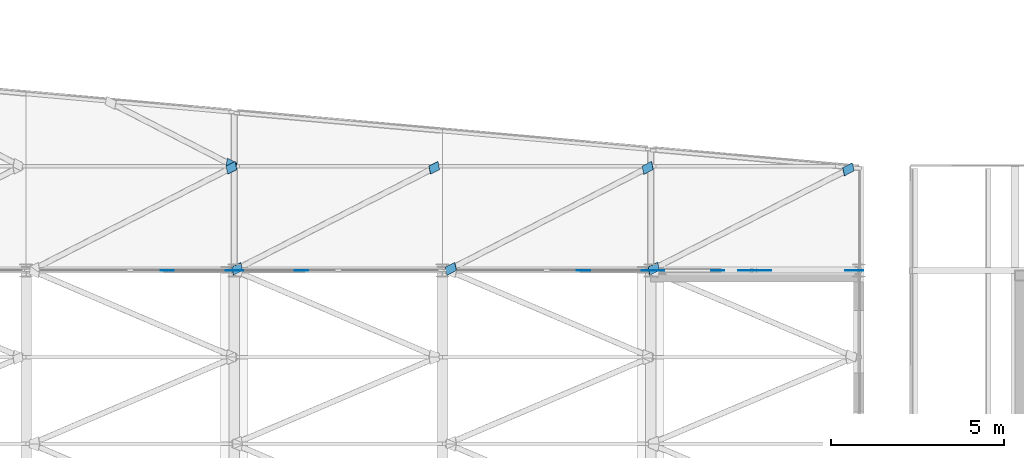
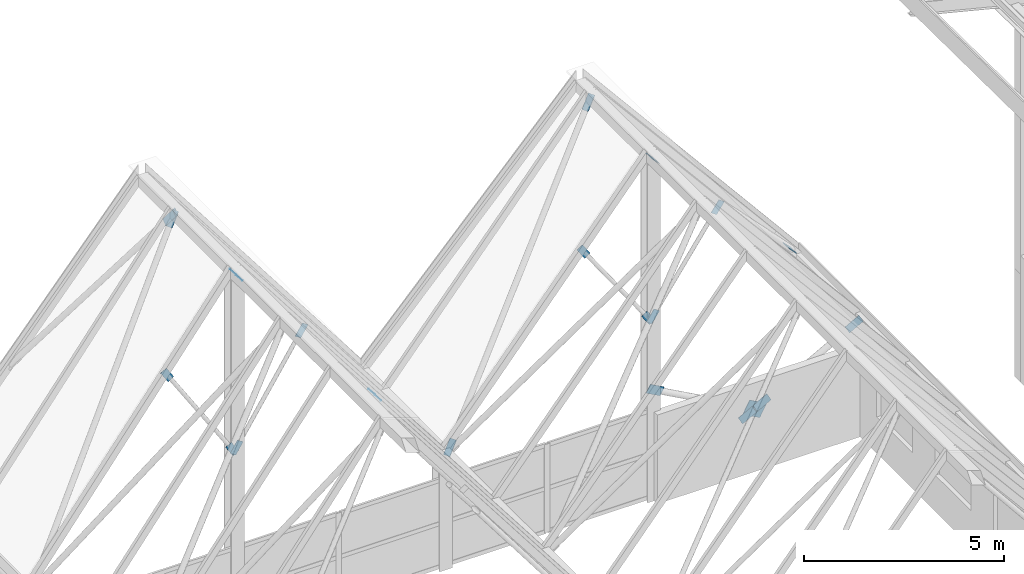
# One storey, part 433 of 483: 21 discrete accessories.
"""IFC4 building model written with IfcOpenShell, lengths in metres."""

from ifc_helpers import new_model, si_unit, direction, frame, origin, place, context, subcontext, project, spatial, polyline, outline, extrude, material, layer, layer_set, type_object, element, save


model = new_model("IFC4")

# Units and contexts
model_context = context("Model", 3, precision=1e-05, world=origin(), true_north=direction((0.0, 1.0)))
body_context = subcontext(model_context, "Body", "Model", "MODEL_VIEW")
ifc_project = project(units=[si_unit("LENGTHUNIT", "METRE"), si_unit("AREAUNIT", "SQUARE_METRE"), si_unit("VOLUMEUNIT", "CUBIC_METRE"), si_unit("PLANEANGLEUNIT", "RADIAN"), si_unit("MASSUNIT", "GRAM", prefix="KILO")], contexts=[model_context])

# Site, building, storey
site_placement = place(None, origin())
site = spatial("IfcSite", under=ifc_project, at=site_placement, CompositionType="ELEMENT")
building_placement = place(site_placement, origin())
building = spatial("IfcBuilding", under=site, at=building_placement, Name="Parallax Yard Mobility Hub", CompositionType="ELEMENT")
storey_placement = place(building_placement, frame((0.0, 0.0, 13.199951171875)))
storey = spatial("IfcBuildingStorey", under=building, at=storey_placement, Name="L04", CompositionType="ELEMENT", Elevation=13.199951171875)

# Discrete accessories
ifc_material = material(Name="Steel ASTM A36", Category="steel")
ifc_layer = layer(ifc_material, 0.011962890625)
ifc_layer_set = layer_set([ifc_layer], Name="Gusset plate PL12")
discrete_accessory_type = type_object("IfcDiscreteAccessoryType", Name="Gusset plate PL12", PredefinedType="BRACKET", material=ifc_layer_set)
for number, where, z_axis, x_axis, name in (
    (1, (74.80859375, 55.271728515625, 10.7900390625), (-0.793865495495, 0.000180436145, 0.608093366602), (0.580540634482, 0.297827212019, 0.757807048988), "Gusset plate PL12 at end 2 of Plate diagonal plate F11-F12 bay 19"),
    (2, (75.19140625, 52.728271484375, 10.7900390625), (0.793865495495, -0.000180436145, 0.608093366602), (-0.580540634482, -0.297827212019, 0.757807048988), "Gusset plate PL12 at end 1 of Plate diagonal plate F12-F13 bay 19"),
):
    element("IfcDiscreteAccessory", number, at=place(storey_placement, frame(where, z_axis=z_axis, x_axis=x_axis)), inside=storey, type_object=discrete_accessory_type, Name=name, PredefinedType="BRACKET", context=body_context, shape_type="SweptSolid", body=[
        extrude(outline(polyline([(0.0, 0.0), (0.44839726892670906, 0.0), (0.4483336086042432, 0.248349684011552), (0.00012135116410366686, 0.24829193511073294), (0.0, 0.0)])), origin(), (0.0, 0.0, -1.0), 0.011962890625),
    ])
discrete_accessory_1_placement = place(storey_placement, frame((80.65625, 55.271728515625, 3.6591796875), z_axis=(0.793669330086, 0.000127665836, 0.608349388249), x_axis=(0.580712176729, 0.297827308229, -0.757675565313)))
element("IfcDiscreteAccessory", 3, at=discrete_accessory_1_placement, inside=storey, type_object=discrete_accessory_type, Name="Gusset plate PL12 at end 2 of Plate diagonal plate F12-F13 bay 19", PredefinedType="BRACKET", context=body_context, shape_type="SweptSolid", body=[
    extrude(outline(polyline([(0.0, 0.0), (0.44839724240954243, -1.3877787807814457e-17), (0.44833363511764657, 0.24834963614818814), (-2.0403339604901927e-05, 0.24833620292722908), (0.0, 0.0)])), origin(), (0.0, 0.0, -1.0), 0.011962890625),
])
discrete_accessory_2_placement = place(storey_placement, frame((81.35205078125, 52.733154296875, 3.645751953125), z_axis=(-0.766482682702, -0.000430762017, 0.642264829772), x_axis=(-0.609972206957, -0.312610710038, -0.728154139389)))
element("IfcDiscreteAccessory", 4, at=discrete_accessory_2_placement, inside=storey, type_object=discrete_accessory_type, Name="Gusset plate PL12 at end 1 of Plate diagonal plate F13-F14 bay 19", PredefinedType="BRACKET", context=body_context, shape_type="SweptSolid", body=[
    extrude(outline(polyline([(0.0, 0.0), (0.44827868743089283, -1.3877787807814457e-17), (0.4481763056363504, 0.24857422337075508), (-0.00017870276867274631, 0.24834231877264806), (0.0, 0.0)])), origin(), (0.0, 0.0, -1.0), 0.011962890625),
])
discrete_accessory_3_placement = place(storey_placement, frame((86.80029296875, 55.266845703125, 10.147216796875), z_axis=(-0.766685731429, -0.000138362087, 0.64202256197), x_axis=(0.609812094092, 0.312610687916, 0.728288244927)))
element("IfcDiscreteAccessory", 5, at=discrete_accessory_3_placement, inside=storey, type_object=discrete_accessory_type, Name="Gusset plate PL12 at end 2 of Plate diagonal plate F13-F14 bay 19", PredefinedType="BRACKET", context=body_context, shape_type="SweptSolid", body=[
    extrude(outline(polyline([(0.0, 0.0), (0.44827867766482155, -2.7755575615628914e-17), (0.4481763154001914, 0.24857420576666753), (-2.9803327575482486e-05, 0.24829327676008567), (0.0, 0.0)])), origin(), (0.0, 0.0, -1.0), 0.011962890625),
])
for number, where, z_axis, x_axis, name in (
    (6, (87.2041015625, 52.73486328125, 10.152587890625), (0.754977976486, -0.005789816782, 0.655724586273), (-0.62307031132, -0.318071475025, 0.7145725463), "Gusset plate PL12 at end 1 of Plate diagonal plate F14-F15 bay 19"),
    (7, (92.587890625, 55.2236328125, 3.9736328125), (0.754977976486, -0.005789816782, 0.655724586273), (0.62307031132, 0.318071475025, -0.7145725463), "Gusset plate PL12 at end 2 of Plate diagonal plate F14-F15 bay 19"),
):
    element("IfcDiscreteAccessory", number, at=place(storey_placement, frame(where, z_axis=z_axis, x_axis=x_axis)), inside=storey, type_object=discrete_accessory_type, Name=name, PredefinedType="BRACKET", context=body_context, shape_type="SweptSolid", body=[
        extrude(outline(polyline([(0.0, 0.0), (0.44825814411902404, 1.3877787807814457e-17), (0.4482889930355888, 0.24849546032601091), (-4.680525214257464e-05, 0.24826400303666332), (0.0, 0.0)])), origin(), (0.0, 0.0, -1.0), 0.011962890625),
    ])
discrete_accessory_4_placement = place(storey_placement, frame((74.75537109375, 55.495361328125, 10.73779296875), z_axis=(-0.777022324895, -0.008663719685, 0.629413414677), x_axis=(0.600892730999, -0.308082733522, 0.737572338919)))
element("IfcDiscreteAccessory", 8, at=discrete_accessory_4_placement, inside=storey, type_object=discrete_accessory_type, Name="Gusset plate PL12 at end 1 of Plate diagonal plate F11-F12 bay 20", PredefinedType="BRACKET", context=body_context, shape_type="SweptSolid", body=[
    extrude(outline(polyline([(0.0, 0.0), (0.4485280569900748, -1.3877787807814457e-17), (0.44825058455177547, 0.24833154672543428), (4.930126041109012e-05, 0.2484370434083836), (0.0, 0.0)])), origin(), (0.0, 0.0, -1.0), 0.011962890625),
])
discrete_accessory_5_placement = place(storey_placement, frame((87.268798828125, 52.5, 3.005126953125), z_axis=(0.0, 1.0, 0.0), x_axis=(-0.876238441502, 0.0, 0.481877778731)))
element("IfcDiscreteAccessory", 9, at=discrete_accessory_5_placement, inside=storey, type_object=discrete_accessory_type, Name="Gusset plate PL12 at end 2 of X brace east end bay north face level 4 2", PredefinedType="BRACKET", context=body_context, shape_type="SweptSolid", body=[
    extrude(outline(polyline([(0.0, 0.0), (0.45749979373531174, 0.0), (0.45776583251018776, 0.2578590596742909), (-0.0002794579687115245, 0.2578804261576796), (0.0, 0.0)])), origin(), (0.0, 0.0, -1.0), 0.011962890625),
])
discrete_accessory_6_placement = place(storey_placement, frame((89.52490234375, 52.5, 1.535888671875), z_axis=(0.0, 1.0, 0.0), x_axis=(0.876137085839, 0.0, 0.482062036274)))
element("IfcDiscreteAccessory", 10, at=discrete_accessory_6_placement, inside=storey, type_object=discrete_accessory_type, Name="Gusset plate PL12 at end 2 of X brace east end bay north face level 4 1 (half 1)", PredefinedType="BRACKET", context=body_context, shape_type="SweptSolid", body=[
    extrude(outline(polyline([(0.0, 0.0), (0.45783137520166645, 2.7755575615628914e-17), (0.4578427016514825, 0.2577627882971243), (1.1326449816093098e-05, 0.2577627882971243), (0.0, 0.0)])), origin(), (0.0, 0.0, -1.0), 0.011962890625),
])
discrete_accessory_7_placement = place(storey_placement, frame((90.47509765625, 52.5, 1.76416015625), z_axis=(0.0, 1.0, 0.0), x_axis=(-0.876137085839, 0.0, -0.482062036274)))
element("IfcDiscreteAccessory", 11, at=discrete_accessory_7_placement, inside=storey, type_object=discrete_accessory_type, Name="Gusset plate PL12 at end 1 of X brace east end bay north face level 4 1 (half 2)", PredefinedType="BRACKET", context=body_context, shape_type="SweptSolid", body=[
    extrude(outline(polyline([(0.0, 0.0), (0.45783137520166645, 2.7755575615628914e-17), (0.4577250107246577, 0.2579766889528468), (1.1326449816093098e-05, 0.2577627882971243), (0.0, 0.0)])), origin(), (0.0, 0.0, -1.0), 0.011962890625),
])
discrete_accessory_8_placement = place(storey_placement, frame((92.606689453125, 52.5, 3.23095703125), z_axis=(0.0, 1.0, 0.0), x_axis=(0.876260918748, 0.0, 0.481836904226)))
element("IfcDiscreteAccessory", 12, at=discrete_accessory_8_placement, inside=storey, type_object=discrete_accessory_type, Name="Gusset plate PL12 at end 2 of X brace east end bay north face level 4 1 (half 2)", PredefinedType="BRACKET", context=body_context, shape_type="SweptSolid", body=[
    extrude(outline(polyline([(0.0, 0.0), (0.4580452909772414, 2.7755575615628914e-17), (0.4577912805793759, 0.25785907180368317), (0.00029148734181290437, 0.2578804128412087), (0.0, 0.0)])), origin(), (0.0, 0.0, -1.0), 0.011962890625),
])
discrete_accessory_9_placement = place(storey_placement, frame((74.911865234375, 52.5, 5.9169921875), z_axis=(0.0, 1.0, 0.0), x_axis=(0.540757591313, 0.0, -0.841178475377)))
element("IfcDiscreteAccessory", 13, at=discrete_accessory_9_placement, inside=storey, type_object=discrete_accessory_type, Name="Gusset plate PL12 at end 1 of Gable knee brace F12 north west", PredefinedType="BRACKET", context=body_context, shape_type="SweptSolid", body=[
    extrude(outline(polyline([(0.0, 0.0), (0.3941410514594834, 0.0), (0.393994361574687, 0.1943640973552479), (-0.0001466898847964221, 0.1943640973552479), (0.0, 0.0)])), origin(), (0.0, 0.0, -1.0), 0.011962890625),
])
discrete_accessory_10_placement = place(storey_placement, frame((73.088134765625, 52.5, 8.39501953125), z_axis=(0.0, 1.0, 0.0), x_axis=(-0.540475947876, 0.0, 0.841359465251)))
element("IfcDiscreteAccessory", 14, at=discrete_accessory_10_placement, inside=storey, type_object=discrete_accessory_type, Name="Gusset plate PL12 at end 2 of Gable knee brace F12 north west", PredefinedType="BRACKET", context=body_context, shape_type="SweptSolid", body=[
    extrude(outline(polyline([(0.0, 0.0), (0.39434643939744385, 0.0), (0.3942648195196839, 0.19436413557248192), (0.0001237901479359954, 0.19449608770819393), (0.0, 0.0)])), origin(), (0.0, 0.0, -1.0), 0.011962890625),
])
discrete_accessory_11_placement = place(storey_placement, frame((75.251708984375, 52.5, 5.81201171875), z_axis=(0.0, 1.0, 0.0), x_axis=(-0.540757591313, 0.0, -0.841178475377)))
element("IfcDiscreteAccessory", 15, at=discrete_accessory_11_placement, inside=storey, type_object=discrete_accessory_type, Name="Gusset plate PL12 at end 1 of Gable knee brace F12 north east", PredefinedType="BRACKET", context=body_context, shape_type="SweptSolid", body=[
    extrude(outline(polyline([(0.0, 0.0), (0.3941410514594834, 0.0), (0.39428774134427985, 0.19436409735524784), (0.0001466898847964221, 0.1943640973552479), (0.0, 0.0)])), origin(), (0.0, 0.0, -1.0), 0.011962890625),
])
discrete_accessory_12_placement = place(storey_placement, frame((76.748291015625, 52.5, 8.500244140625), z_axis=(0.0, 1.0, 0.0), x_axis=(0.540757591313, 0.0, 0.841178475377)))
element("IfcDiscreteAccessory", 16, at=discrete_accessory_12_placement, inside=storey, type_object=discrete_accessory_type, Name="Gusset plate PL12 at end 2 of Gable knee brace F12 north east", PredefinedType="BRACKET", context=body_context, shape_type="SweptSolid", body=[
    extrude(outline(polyline([(0.0, 0.0), (0.3941410514594834, 0.0), (0.39428774134427985, 0.19436409735524784), (-5.8675953918563284e-05, 0.19449611825156465), (0.0, 0.0)])), origin(), (0.0, 0.0, -1.0), 0.011962890625),
])
for number, where, z_axis, x_axis, name in (
    (17, (86.89990234375, 52.5, 5.71337890625), (0.0, 1.0, 0.0), (0.572297848879, 0.0, -0.820045835407), "Gusset plate PL12 at end 1 of Gable knee brace F14 north west"),
    (18, (85.10009765625, 52.5, 7.952392578125), (0.0, 1.0, 0.0), (-0.572297848879, 0.0, 0.820045835407), "Gusset plate PL12 at end 2 of Gable knee brace F14 north west"),
):
    element("IfcDiscreteAccessory", number, at=place(storey_placement, frame(where, z_axis=z_axis, x_axis=x_axis)), inside=storey, type_object=discrete_accessory_type, Name=name, PredefinedType="BRACKET", context=body_context, shape_type="SweptSolid", body=[
        extrude(outline(polyline([(0.0, 0.0), (0.3941757564558468, 0.0), (0.39423200782974105, 0.19444769277579024), (5.6251373894242174e-05, 0.19444769277579022), (0.0, 0.0)])), origin(), (0.0, 0.0, -1.0), 0.011962890625),
    ])
for number, where, z_axis, x_axis, name in (
    (19, (87.259521484375, 52.5, 5.60205078125), (0.0, 1.0, 0.0), (-0.572297848879, 0.0, -0.820045835407), "Gusset plate PL12 at end 1 of Gable knee brace F14 north east"),
    (20, (88.740478515625, 52.5, 8.063720703125), (0.0, 1.0, 0.0), (0.572297848879, 0.0, 0.820045835407), "Gusset plate PL12 at end 2 of Gable knee brace F14 north east"),
):
    element("IfcDiscreteAccessory", number, at=place(storey_placement, frame(where, z_axis=z_axis, x_axis=x_axis)), inside=storey, type_object=discrete_accessory_type, Name=name, PredefinedType="BRACKET", context=body_context, shape_type="SweptSolid", body=[
        extrude(outline(polyline([(0.0, 0.0), (0.3941757564558468, 0.0), (0.3941195050819526, 0.19444769277579024), (-5.6251373894242174e-05, 0.19444769277579022), (0.0, 0.0)])), origin(), (0.0, 0.0, -1.0), 0.011962890625),
    ])
discrete_accessory_13_placement = place(storey_placement, frame((90.14404296875, 52.5, 1.3310546875), z_axis=(0.0, 1.0, 0.0), x_axis=(-0.876206700171, 0.0, 0.48193549213)))
element("IfcDiscreteAccessory", 21, at=discrete_accessory_13_placement, inside=storey, type_object=discrete_accessory_type, Name="Gusset plate PL12 crossing node of X brace east end bay north face level 4 1", PredefinedType="BRACKET", context=body_context, shape_type="SweptSolid", body=[
    extrude(outline(polyline([(0.0, 0.0), (0.5597748973262152, 0.0), (0.5598684929536858, 0.42012798506698723), (9.359562747066064e-05, 0.4201279850669873), (0.0, 0.0)])), origin(), (0.0, 0.0, -1.0), 0.011962890625),
])

save(model, "model.ifc")
